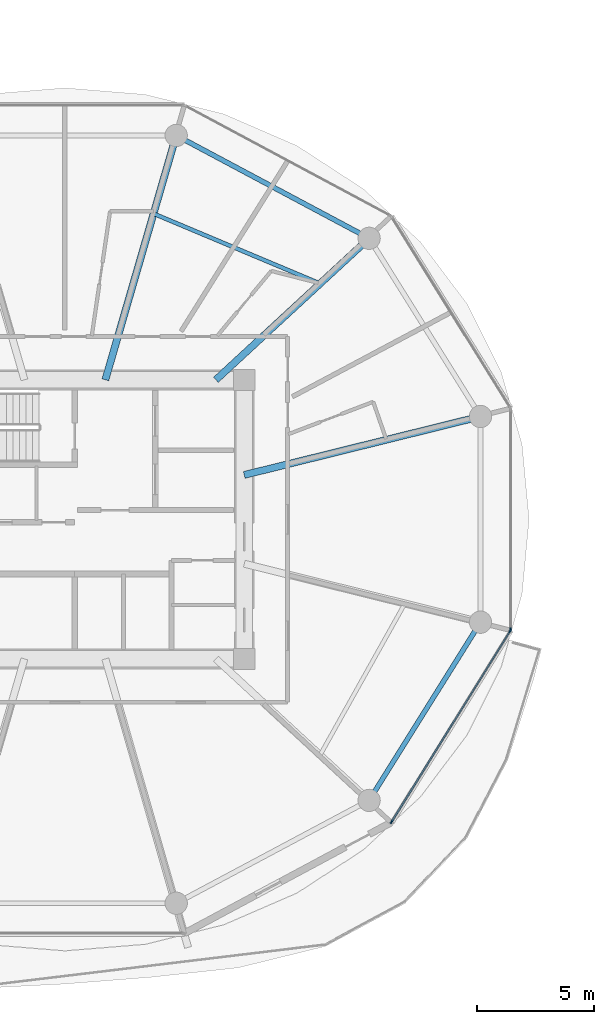
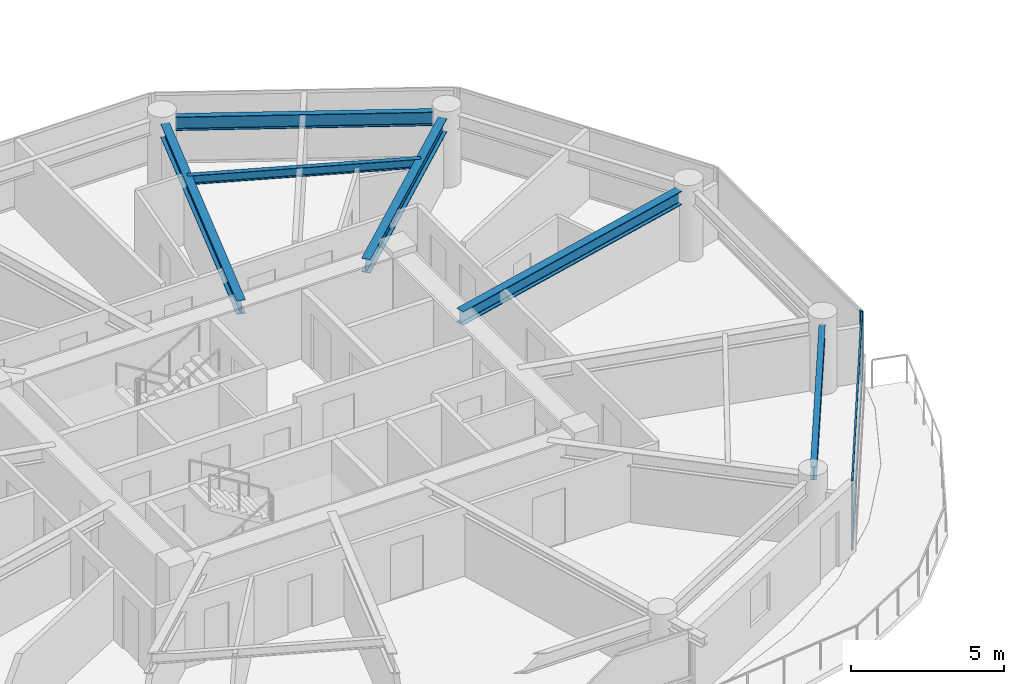
# One storey, part 5 of 26: 6 beams, 5 members, 2 elements without a shape of their own.
"""IFC4 building model written with IfcOpenShell, lengths in metres."""

from ifc_helpers import new_model, si_unit, direction, frame, origin, origin_2d, place, context, subcontext, project, spatial, rectangle, i_section, extrude, source, transform, mapped, material, layer, layer_set, material_profile, profile_set, type_object, type_shapes, element, aggregate, save


model = new_model("IFC4")

# Units and contexts
model_context = context("Model", 3, precision=1e-05, world=origin(), true_north=direction((0.0, 1.0)))
body_context = subcontext(model_context, "Body", "Model", "MODEL_VIEW")
ifc_project = project(units=[si_unit("LENGTHUNIT", "METRE"), si_unit("AREAUNIT", "SQUARE_METRE"), si_unit("VOLUMEUNIT", "CUBIC_METRE"), si_unit("PLANEANGLEUNIT", "RADIAN"), si_unit("MASSUNIT", "GRAM", prefix="KILO")], contexts=[model_context])

# Site, building, storey
site_placement = place(None, origin())
site = spatial("IfcSite", under=ifc_project, at=site_placement, CompositionType="ELEMENT")
building_placement = place(site_placement, origin())
building = spatial("IfcBuilding", under=site, at=building_placement, Name="Norrkilde Senior Care Towers", CompositionType="ELEMENT")
storey_placement = place(building_placement, frame((0.0, 0.0, 55.14990234375)))
storey = spatial("IfcBuildingStorey", under=building, at=storey_placement, Name="L16", CompositionType="ELEMENT", Elevation=55.14990234375)

# Beams
ifc_material_1 = material(Name="Steel S355", Category="steel")
ifc_material_profile_1 = material_profile(ifc_material_1, i_section(OverallWidth=0.2099609375, OverallDepth=0.550048828125, WebThickness=0.010986328125, FlangeThickness=0.01708984375, FilletRadius=0.02392578125, at=origin_2d()), Name="IPE 550")
ifc_profile_set_1 = profile_set([ifc_material_profile_1], Name="Steel S355")
beam_type_1 = type_object("IfcBeamType", Name="Perimeter Ring Spandrel Z1 IPE550", PredefinedType="SPANDREL", material=ifc_profile_set_1)
shared_shape_1 = source(origin(), body_context, "Body", "SweptSolid", [
    extrude(i_section(OverallWidth=0.2099609375, OverallDepth=0.550048828125, WebThickness=0.010986328125, FlangeThickness=0.01708984375, FilletRadius=0.02392578125, at=origin_2d()), origin(), (0.0, 0.0, 1.0), 8.090576171875),
])
beam_1_placement = place(storey_placement, frame((-14.7939453125, -11.61669921875, 2.51513671875), z_axis=(0.530004364821, 0.84799491347, 0.0), x_axis=(-0.84799491347, 0.530004364821, 0.0)))
element("IfcBeam", 1, at=beam_1_placement, inside=storey, type_object=beam_type_1, Name="L16 Drum W Perimeter Spandrel 11", PredefinedType="SPANDREL", context=body_context, shape_type="MappedRepresentation", body=[
    mapped(shared_shape_1, transform((0.0, 0.0, 0.0), x_axis=(1.0, 0.0, 0.0), y_axis=(0.0, 1.0, 0.0), z_axis=(0.0, 0.0, 1.0), scale=1.0)),
])
ifc_material_profile_2 = material_profile(ifc_material_1, i_section(OverallWidth=0.300048828125, OverallDepth=0.550048828125, WebThickness=0.014892578125, FlangeThickness=0.029052734375, FilletRadius=0.027099609375, at=origin_2d()), Name="HEB 550")
ifc_profile_set_2 = profile_set([ifc_material_profile_2], Name="Steel S355")
beam_type_2 = type_object("IfcBeamType", Name="Radial Floor Beam Z1 HEB550", PredefinedType="BEAM", material=ifc_profile_set_2)
shared_shape_2 = source(origin(), body_context, "Body", "SweptSolid", [
    extrude(i_section(OverallWidth=0.300048828125, OverallDepth=0.550048828125, WebThickness=0.014892578125, FlangeThickness=0.029052734375, FilletRadius=0.027099609375, at=origin_2d()), origin(), (0.0, 0.0, 1.0), 9.94384765625),
])
beam_2_placement = place(storey_placement, frame((-20.35009765625, 1.893310546875, 2.51513671875), z_axis=(0.970707425182, 0.240264634718, 0.0), x_axis=(-0.240264634718, 0.970707425182, 0.0)))
element("IfcBeam", 2, at=beam_2_placement, inside=storey, type_object=beam_type_2, Name="L16 Drum W Radial Floor Beam 01", PredefinedType="BEAM", context=body_context, shape_type="MappedRepresentation", body=[
    mapped(shared_shape_2, transform((0.0, 0.0, 0.0), x_axis=(1.0, 0.0, 0.0), y_axis=(0.0, 1.0, 0.0), z_axis=(0.0, 0.0, 1.0), scale=1.0)),
])
shared_shape_3 = source(origin(), body_context, "Body", "SweptSolid", [
    extrude(i_section(OverallWidth=0.2099609375, OverallDepth=0.550048828125, WebThickness=0.010986328125, FlangeThickness=0.01708984375, FilletRadius=0.02392578125, at=origin_2d()), origin(), (0.0, 0.0, 1.0), 8.452880859375),
])
type_shapes(beam_type_1, [shared_shape_1, shared_shape_3])
beam_3_placement = place(storey_placement, frame((-15.408447265625, 12.190185546875, 2.51513671875), z_axis=(-0.882368931134, 0.470558252898, 0.0), x_axis=(-0.470558252898, -0.882368931134, 0.0)))
element("IfcBeam", 3, at=beam_3_placement, inside=storey, type_object=beam_type_1, Name="L16 Drum W Perimeter Spandrel 02", PredefinedType="SPANDREL", context=body_context, shape_type="MappedRepresentation", body=[
    mapped(shared_shape_3, transform((0.0, 0.0, 0.0), x_axis=(1.0, 0.0, 0.0), y_axis=(0.0, 1.0, 0.0), z_axis=(0.0, 0.0, 1.0), scale=1.0)),
])
shared_shape_4 = source(origin(), body_context, "Body", "SweptSolid", [
    extrude(i_section(OverallWidth=0.300048828125, OverallDepth=0.550048828125, WebThickness=0.014892578125, FlangeThickness=0.029052734375, FilletRadius=0.027099609375, at=origin_2d()), origin(), (0.0, 0.0, 1.0), 8.459716796875),
])
beam_4_placement = place(storey_placement, frame((-21.55859375, 5.949951171875, 2.51513671875), z_axis=(0.734573269108, 0.678529374686, 0.0), x_axis=(-0.678529374686, 0.734573269108, 0.0)))
element("IfcBeam", 4, at=beam_4_placement, inside=storey, type_object=beam_type_2, Name="L16 Drum W Radial Floor Beam 02", PredefinedType="BEAM", context=body_context, shape_type="MappedRepresentation", body=[
    mapped(shared_shape_4, transform((0.0, 0.0, 0.0), x_axis=(1.0, 0.0, 0.0), y_axis=(0.0, 1.0, 0.0), z_axis=(0.0, 0.0, 1.0), scale=1.0)),
])
shared_shape_5 = source(origin(), body_context, "Body", "SweptSolid", [
    extrude(i_section(OverallWidth=0.300048828125, OverallDepth=0.550048828125, WebThickness=0.014892578125, FlangeThickness=0.029052734375, FilletRadius=0.027099609375, at=origin_2d()), origin(), (0.0, 0.0, 1.0), 10.4169921875),
])
type_shapes(beam_type_2, [shared_shape_2, shared_shape_4, shared_shape_5])
beam_5_placement = place(storey_placement, frame((-26.27392578125, 5.949951171875, 2.51513671875), z_axis=(0.278591250785, 0.960409764104, 0.0), x_axis=(-0.960409764104, 0.278591250785, 0.0)))
element("IfcBeam", 5, at=beam_5_placement, inside=storey, type_object=beam_type_2, Name="L16 Drum W Radial Floor Beam 03", PredefinedType="BEAM", context=body_context, shape_type="MappedRepresentation", body=[
    mapped(shared_shape_5, transform((0.0, 0.0, 0.0), x_axis=(1.0, 0.0, 0.0), y_axis=(0.0, 1.0, 0.0), z_axis=(0.0, 0.0, 1.0), scale=1.0)),
])
ifc_material_profile_3 = material_profile(ifc_material_1, i_section(OverallWidth=0.169921875, OverallDepth=0.360107421875, WebThickness=0.008056640625, FlangeThickness=0.0126953125, FilletRadius=0.01806640625, at=origin_2d()), Name="IPE 360")
ifc_profile_set_3 = profile_set([ifc_material_profile_3], Name="Steel S355")
beam_type_3 = type_object("IfcBeamType", Name="Secondary Floor Joist IPE360", PredefinedType="JOIST", material=ifc_profile_set_3)
shared_shape_6 = source(origin(), body_context, "Body", "SweptSolid", [
    extrude(i_section(OverallWidth=0.169921875, OverallDepth=0.360107421875, WebThickness=0.008056640625, FlangeThickness=0.0126953125, FilletRadius=0.01806640625, at=origin_2d()), origin(), (0.0, 0.0, 1.0), 7.703857421875),
])
type_shapes(beam_type_3, [shared_shape_6])
beam_6_placement = place(storey_placement, frame((-17.115478515625, 10.05419921875, 2.610107421875), z_axis=(-0.921982784465, 0.387230868023, 0.0), x_axis=(-0.387230868023, -0.921982784465, 0.0)))
element("IfcBeam", 6, at=beam_6_placement, inside=storey, type_object=beam_type_3, Name="L16 Drum W Secondary Floor Joist 1", PredefinedType="JOIST", context=body_context, shape_type="MappedRepresentation", body=[
    mapped(shared_shape_6, transform((0.0, 0.0, 0.0), x_axis=(1.0, 0.0, 0.0), y_axis=(0.0, 1.0, 0.0), z_axis=(0.0, 0.0, 1.0), scale=1.0)),
])

# Curtain wall, members
ifc_material_2 = material(Name="Triple Low-E Insulated Glazing", Category="glass")
ifc_layer = layer(ifc_material_2, 0.199951171875)
ifc_layer_set = layer_set([ifc_layer], Name="Triple Low-E Insulated Glazing")
curtain_wall_type = type_object("IfcCurtainWallType", Name="CW2 Zone 1 Memory Care Curtain Wall", PredefinedType="NOTDEFINED", material=ifc_layer_set)
curtain_wall_1_placement = place(storey_placement, origin())
curtain_wall_1 = element("IfcCurtainWall", 7, at=curtain_wall_1_placement, inside=storey, type_object=curtain_wall_type, Name="L16 Drum W Curtain Wall 10", PredefinedType="NOTDEFINED")
ifc_material_3 = material(Name="Anodised Aluminium", Category="aluminium")
ifc_material_profile_4 = material_profile(ifc_material_3, rectangle(XDim=0.06494140625, YDim=0.159912109375, at=origin_2d()), Name="ALU MULL 65x160")
ifc_profile_set_4 = profile_set([ifc_material_profile_4], Name="Anodised Aluminium")
member_type_1 = type_object("IfcMemberType", Name="Curtain Wall Mullion Z1-Z2 65x160", PredefinedType="MULLION", material=ifc_profile_set_4)
shared_shape_7 = source(origin(), body_context, "Body", "SweptSolid", [
    extrude(rectangle(XDim=0.06494140625, YDim=0.159912109375, at=origin_2d()), origin(), (0.0, 0.0, 1.0), 2.7900390625),
])
type_shapes(member_type_1, [shared_shape_7])
member_1_placement = place(storey_placement, frame((-9.0078125, -4.7587890625, 0.0), z_axis=(0.0, 0.0, 1.0), x_axis=(0.849305943117, -0.527900951871, 0.0)))
member_1 = element("IfcMember", 8, at=member_1_placement, type_object=member_type_1, Name="CW-2 mullion 1", PredefinedType="MULLION", context=body_context, shape_type="MappedRepresentation", body=[
    mapped(shared_shape_7, transform((0.0, 0.0, 0.0), x_axis=(1.0, 0.0, 0.0), y_axis=(0.0, 1.0, 0.0), z_axis=(0.0, 0.0, 1.0), scale=1.0)),
])
member_2_placement = place(storey_placement, frame((-14.06689453125, -12.898193359375, 0.0), z_axis=(0.0, 0.0, 1.0), x_axis=(0.849305943117, -0.527900951871, 0.0)))
member_2 = element("IfcMember", 9, at=member_2_placement, type_object=member_type_1, Name="CW-2 mullion 2", PredefinedType="MULLION", context=body_context, shape_type="MappedRepresentation", body=[
    mapped(shared_shape_7, transform((0.0, 0.0, 0.0), x_axis=(1.0, 0.0, 0.0), y_axis=(0.0, 1.0, 0.0), z_axis=(0.0, 0.0, 1.0), scale=1.0)),
])

# Curtain wall, member
curtain_wall_2_placement = place(storey_placement, origin())
curtain_wall_2 = element("IfcCurtainWall", 10, at=curtain_wall_2_placement, inside=storey, type_object=curtain_wall_type, Name="L16 Drum W Curtain Wall 11", PredefinedType="NOTDEFINED")
member_3_placement = place(storey_placement, frame((-8.990478515625, -4.69873046875, 0.0), z_axis=(0.0, 0.0, 1.0), x_axis=(1.0, 0.0, 0.0)))
member_3 = element("IfcMember", 11, at=member_3_placement, type_object=member_type_1, Name="CW-2 mullion 2", PredefinedType="MULLION", context=body_context, shape_type="MappedRepresentation", body=[
    mapped(shared_shape_7, transform((0.0, 0.0, 0.0), x_axis=(1.0, 0.0, 0.0), y_axis=(0.0, 1.0, 0.0), z_axis=(0.0, 0.0, 1.0), scale=1.0)),
])
aggregate(curtain_wall_2, [member_3])

# Member
ifc_material_profile_5 = material_profile(ifc_material_3, rectangle(XDim=0.06005859375, YDim=0.1201171875, at=origin_2d()), Name="ALU TRAN 60x120")
ifc_profile_set_5 = profile_set([ifc_material_profile_5], Name="Anodised Aluminium")
member_type_2 = type_object("IfcMemberType", Name="Curtain Wall Transom Typical 60x120", PredefinedType="USERDEFINED", material=ifc_profile_set_5)
shared_shape_8 = source(origin(), body_context, "Body", "SweptSolid", [
    extrude(rectangle(XDim=0.06005859375, YDim=0.1201171875, at=origin_2d()), origin(), (0.0, 0.0, 1.0), 9.5185546875),
])
type_shapes(member_type_2, [shared_shape_8])
member_4_placement = place(storey_placement, frame((-9.02490234375, -4.786376953125, 0.030029296875), z_axis=(-0.527901620669, -0.849305527413, 0.0), x_axis=(0.849305527413, -0.527901620669, 0.0)))
member_4 = element("IfcMember", 12, at=member_4_placement, type_object=member_type_2, Name="CW-2 transom 1.1", ObjectType="TRANSOM", PredefinedType="USERDEFINED", context=body_context, shape_type="MappedRepresentation", body=[
    mapped(shared_shape_8, transform((0.0, 0.0, 0.0), x_axis=(1.0, 0.0, 0.0), y_axis=(0.0, 1.0, 0.0), z_axis=(0.0, 0.0, 1.0), scale=1.0)),
])

member_5_placement = place(storey_placement, frame((-9.02490234375, -4.786376953125, 2.760009765625), z_axis=(-0.527901620669, -0.849305527413, 0.0), x_axis=(0.849305527413, -0.527901620669, 0.0)))
member_5 = element("IfcMember", 13, at=member_5_placement, type_object=member_type_2, Name="CW-2 transom 1.2", ObjectType="TRANSOM", PredefinedType="USERDEFINED", context=body_context, shape_type="MappedRepresentation", body=[
    mapped(shared_shape_8, transform((0.0, 0.0, 0.0), x_axis=(1.0, 0.0, 0.0), y_axis=(0.0, 1.0, 0.0), z_axis=(0.0, 0.0, 1.0), scale=1.0)),
])

aggregate(curtain_wall_1, [member_1, member_2, member_4, member_5])

save(model, "model.ifc")
